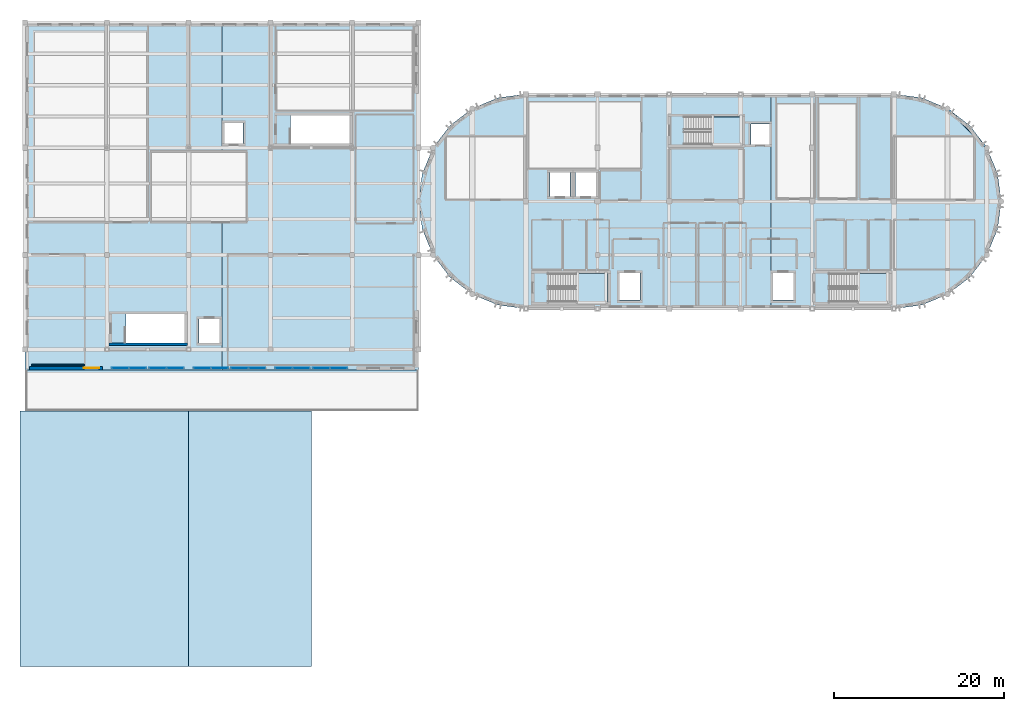
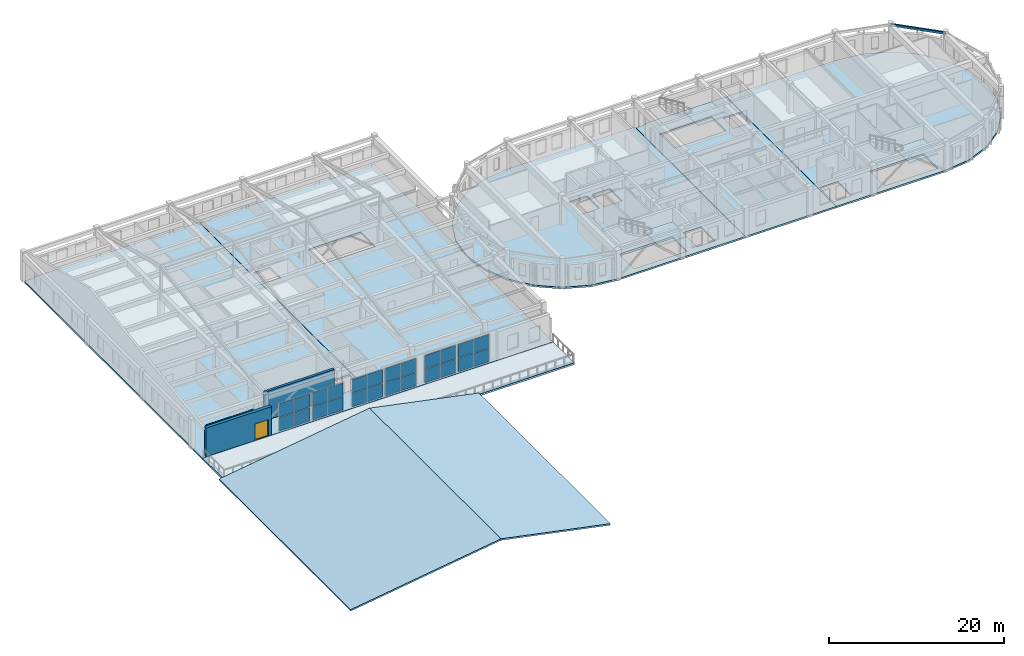
# One storey, part 13 of 29: 24 plates, 11 slabs, 3 walls, 1 beam, 1 door, 1 opening, 9 elements without a shape of their own.
"""IFC4 building model written with IfcOpenShell, lengths in metres."""

from ifc_helpers import new_model, si_unit, direction, frame, frame_2d, origin, origin_2d, place, context, subcontext, project, spatial, polyline, rectangle, hollow_rectangle, outline, extrude, material, layer, layer_set, material_profile, profile_set, type_object, element, fill, aggregate, save


model = new_model("IFC4")

# Units and contexts
model_context = context("Model", 3, precision=1e-05, world=origin(), true_north=direction((0.0, 1.0)))
body_context = subcontext(model_context, "Body", "Model", "MODEL_VIEW")
ifc_project = project(units=[si_unit("LENGTHUNIT", "METRE"), si_unit("AREAUNIT", "SQUARE_METRE"), si_unit("VOLUMEUNIT", "CUBIC_METRE"), si_unit("PLANEANGLEUNIT", "RADIAN"), si_unit("MASSUNIT", "GRAM", prefix="KILO")], contexts=[model_context])

# Site, building, storey
site_placement = place(None, origin())
site = spatial("IfcSite", under=ifc_project, at=site_placement, CompositionType="ELEMENT")
building_placement = place(site_placement, origin())
building = spatial("IfcBuilding", under=site, at=building_placement, Name="Tarnavel Promenade Courthouse", CompositionType="ELEMENT")
storey_placement = place(building_placement, frame((0.0, 0.0, 22.800048828125)))
storey = spatial("IfcBuildingStorey", under=building, at=storey_placement, Name="L06", CompositionType="ELEMENT", Elevation=22.800048828125)

# Beam
ifc_material_1 = material(Name="Steel S355J2", Category="steel")
ifc_material_profile = material_profile(ifc_material_1, hollow_rectangle(XDim=0.199951171875, YDim=0.35009765625, WallThickness=0.012451171875, InnerFilletRadius=0.012451171875, OuterFilletRadius=0.02490234375, at=origin_2d()), Name="RHS 350x200x12.5")
ifc_profile_set = profile_set([ifc_material_profile], Name="Steel S355J2")
beam_type = type_object("IfcBeamType", Name="Steel S355J2 BM-ST-RHS350 (RHS 350x200x12.5)", PredefinedType="SPANDREL", material=ifc_profile_set)
beam_placement = place(storey_placement, frame((112.911865234375, 98.10009765625, 3.7900390625), z_axis=(-0.707106781187, 0.707106781187, 0.0), x_axis=(-0.707106781187, -0.707106781187, 0.0)))
element("IfcBeam", 1, at=beam_placement, inside=storey, type_object=beam_type, Name="L06 Drum Ring Spandrel 2519", PredefinedType="SPANDREL", context=body_context, shape_type="SweptSolid", body=[
    extrude(hollow_rectangle(XDim=0.199951171875, YDim=0.35009765625, WallThickness=0.012451171875, InnerFilletRadius=0.012451171875, OuterFilletRadius=0.02490234375, at=origin_2d()), origin(), (0.0, 0.0, 1.0), 6.52197265625),
])

# Slabs
ifc_material_2 = material(Name="Concrete C35/45", Category="concrete")
ifc_layer_1 = layer(ifc_material_2, 0.239990234375)
ifc_layer_set_1 = layer_set([ifc_layer_1], Name="Concrete C35/45")
slab_type_1 = type_object("IfcSlabType", Name="Concrete C35/45 SLB-FLR-240 (240 mm)", PredefinedType="FLOOR", material=ifc_layer_set_1)
slab_1_placement = place(storey_placement, frame((0.0, 0.0, -0.239990234375)))
element("IfcSlab", 2, at=slab_1_placement, inside=storey, type_object=slab_type_1, Name="L06 Stacked Courts West Drum Floor Slab", PredefinedType="FLOOR", context=body_context, shape_type="SweptSolid", body=[
    extrude(outline(polyline([(75.580078125, 79.219970703125), (75.580078125, 104.3798828125), (58.800048828125, 104.39990234375), (55.538818359375, 103.970703125), (52.5, 102.7119140625), (49.890380859375, 100.70947265625), (47.88818359375, 98.10009765625), (46.62939453125, 95.06103515625), (46.199951171875, 91.800048828125), (46.62939453125, 88.538818359375), (47.88818359375, 85.5), (49.890380859375, 82.890380859375), (52.5, 80.88818359375), (55.538818359375, 79.62939453125), (58.800048828125, 79.199951171875), (75.580078125, 79.219970703125)]), holes=[polyline([(61.405029296875, 80.0), (68.39990234375, 80.0), (68.39990234375, 83.320068359375), (61.405029296875, 83.320068359375), (61.405029296875, 80.0)]), polyline([(69.800048828125, 80.199951171875), (72.199951171875, 80.199951171875), (72.199951171875, 83.39990234375), (69.800048828125, 83.39990234375), (69.800048828125, 80.199951171875)]), polyline([(61.60009765625, 92.39990234375), (64.0, 92.39990234375), (64.0, 95.199951171875), (61.60009765625, 95.199951171875), (61.60009765625, 92.39990234375)]), polyline([(64.60009765625, 92.39990234375), (67.0, 92.39990234375), (67.0, 95.199951171875), (64.60009765625, 95.199951171875), (64.60009765625, 92.39990234375)])]), origin(), (0.0, 0.0, 1.0), 0.239990234375),
])
slab_2_placement = place(storey_placement, frame((0.0, 0.0, -0.239990234375)))
element("IfcSlab", 3, at=slab_2_placement, inside=storey, type_object=slab_type_1, Name="L06 Stacked Courts Central Floor Slab", PredefinedType="FLOOR", context=body_context, shape_type="SweptSolid", body=[
    extrude(outline(polyline([(75.6201171875, 79.219970703125), (87.580078125, 79.219970703125), (87.580078125, 104.3798828125), (77.02001953125, 104.3798828125), (77.02001953125, 104.219970703125), (75.6201171875, 104.219970703125), (75.6201171875, 79.219970703125)]), holes=[polyline([(77.364990234375, 98.5), (84.199951171875, 98.5), (84.199951171875, 101.739990234375), (77.364990234375, 101.739990234375), (77.364990234375, 98.5)]), polyline([(85.199951171875, 98.5), (87.39990234375, 98.5), (87.39990234375, 100.89990234375), (85.199951171875, 100.89990234375), (85.199951171875, 98.5)])]), origin(), (0.0, 0.0, 1.0), 0.239990234375),
])
slab_3_placement = place(storey_placement, frame((0.0, 0.0, -0.239990234375)))
element("IfcSlab", 4, at=slab_3_placement, inside=storey, type_object=slab_type_1, Name="L06 Stacked Courts East Drum Floor Slab", PredefinedType="FLOOR", context=body_context, shape_type="SweptSolid", body=[
    extrude(outline(polyline([(87.6201171875, 104.3798828125), (87.6201171875, 79.219970703125), (102.0, 79.199951171875), (105.26123046875, 79.62939453125), (108.300048828125, 80.88818359375), (110.909423828125, 82.890380859375), (112.911865234375, 85.5), (114.170654296875, 88.538818359375), (114.60009765625, 91.800048828125), (114.170654296875, 95.06103515625), (112.911865234375, 98.10009765625), (110.909423828125, 100.70947265625), (108.300048828125, 102.7119140625), (105.26123046875, 103.970703125), (102.0, 104.39990234375), (87.6201171875, 104.3798828125)]), holes=[polyline([(94.405029296875, 80.0), (101.39990234375, 80.0), (101.39990234375, 83.320068359375), (94.405029296875, 83.320068359375), (94.405029296875, 80.0)]), polyline([(87.800048828125, 80.199951171875), (90.199951171875, 80.199951171875), (90.199951171875, 83.39990234375), (87.800048828125, 83.39990234375), (87.800048828125, 80.199951171875)])]), origin(), (0.0, 0.0, 1.0), 0.239990234375),
])
ifc_layer_2 = layer(ifc_material_2, 0.215087890625)
ifc_layer_set_2 = layer_set([ifc_layer_2], Name="Concrete C35/45")
slab_type_2 = type_object("IfcSlabType", Name="Concrete C35/45 SLB-RF-215 (215 mm)", PredefinedType="ROOF", material=ifc_layer_set_2)
slab_4_placement = place(storey_placement, frame((-0.60009765625, 37.199951171875, 0.219970703125), z_axis=(-0.146382003724, 0.0, 0.989228137987), x_axis=(0.989228137987, 0.0, 0.146382003724)))
element("IfcSlab", 5, at=slab_4_placement, inside=storey, type_object=slab_type_2, Name="L06 Law Library West Ottoman Pitched Roof", PredefinedType="ROOF", context=body_context, shape_type="SweptSolid", body=[
    extrude(outline(polyline([(0.0, 0.0), (20.015654698632012, 0.0), (20.015654698632012, 30.0), (0.0, 30.0), (0.0, 0.0)])), origin(), (0.0, 0.0, -1.0), 0.215087890625),
])
slab_5_placement = place(storey_placement, frame((19.199951171875, 37.199951171875, 3.14990234375), z_axis=(0.19938026666, 0.0, 0.979922195517), x_axis=(0.979922195517, 0.0, -0.19938026666)))
element("IfcSlab", 6, at=slab_5_placement, inside=storey, type_object=slab_type_2, Name="L06 Law Library East Ottoman Pitched Roof", PredefinedType="ROOF", context=body_context, shape_type="SweptSolid", body=[
    extrude(outline(polyline([(0.0, 0.0), (14.695193710536557, 0.0), (14.695193710536557, 30.0), (0.0, 30.0), (0.0, 0.0)])), origin(), (0.0, 0.0, -1.0), 0.215087890625),
])
ifc_layer_3 = layer(ifc_material_2, 0.27001953125)
ifc_layer_set_3 = layer_set([ifc_layer_3], Name="Concrete C35/45")
slab_type_3 = type_object("IfcSlabType", Name="Concrete C35/45 SLB-TER-270 (270 mm)", PredefinedType="FLOOR", material=ifc_layer_set_3)
slab_6_placement = place(storey_placement, frame((0.0, 0.0, -0.27001953125)))
element("IfcSlab", 7, at=slab_6_placement, inside=storey, type_object=slab_type_3, Name="L06 Trial Wing South Planted Roof Garden Terrace", PredefinedType="FLOOR", context=body_context, shape_type="SweptSolid", body=[
    extrude(outline(polyline([(0.0, 67.219970703125), (46.179931640625, 67.219970703125), (46.179931640625, 71.97998046875), (0.0, 71.97998046875), (0.0, 67.219970703125)])), origin(), (0.0, 0.0, 1.0), 0.27001953125),
])

# Stair, slab
stair_type_1 = type_object("IfcStairType", Name="Concrete C35/45 Half-Turn Stair STR-03 (1560W-300G-24R)", PredefinedType="HALF_TURN_STAIR", material=ifc_material_2)
stair_1_placement = place(storey_placement, origin())
stair_1 = element("IfcStair", 8, at=stair_1_placement, inside=storey, type_object=stair_type_1, Name="L06 West Bar Firefighting Exit Stair", PredefinedType="HALF_TURN_STAIR")
ifc_layer_4 = layer(ifc_material_2, 0.205078125)
ifc_layer_set_4 = layer_set([ifc_layer_4], Name="Concrete C35/45")
slab_type_4 = type_object("IfcSlabType", Name="Concrete C35/45 Stair Landing SLB-LND-205 (205 mm)", PredefinedType="LANDING", material=ifc_layer_set_4)
slab_7_placement = place(storey_placement, frame((0.0, 0.0, 1.89990234375)))
slab_7 = element("IfcSlab", 9, at=slab_7_placement, type_object=slab_type_4, Name="ST-01 landing 1", PredefinedType="LANDING", context=body_context, shape_type="SweptSolid", body=[
    extrude(outline(polyline([(64.659912109375, 80.0), (68.39990234375, 80.0), (68.39990234375, 83.320068359375), (64.659912109375, 83.320068359375), (64.659912109375, 80.0)])), origin(), (0.0, 0.0, 1.0), 0.199951171875),
])
aggregate(stair_1, [slab_7])

stair_2_placement = place(storey_placement, origin())
stair_2 = element("IfcStair", 10, at=stair_2_placement, inside=storey, type_object=stair_type_1, Name="L06 East Bar Firefighting Exit Stair", PredefinedType="HALF_TURN_STAIR")
slab_8_placement = place(storey_placement, frame((0.0, 0.0, 1.89990234375)))
slab_8 = element("IfcSlab", 11, at=slab_8_placement, type_object=slab_type_4, Name="ST-02 landing 1", PredefinedType="LANDING", context=body_context, shape_type="SweptSolid", body=[
    extrude(outline(polyline([(97.659912109375, 80.0), (101.39990234375, 80.0), (101.39990234375, 83.320068359375), (97.659912109375, 83.320068359375), (97.659912109375, 80.0)])), origin(), (0.0, 0.0, 1.0), 0.199951171875),
])
aggregate(stair_2, [slab_8])

stair_type_2 = type_object("IfcStairType", Name="Concrete C35/45 Half-Turn Stair STR-06 (1520W-290G-24R)", PredefinedType="HALF_TURN_STAIR", material=ifc_material_2)
stair_3_placement = place(storey_placement, origin())
stair_3 = element("IfcStair", 12, at=stair_3_placement, inside=storey, type_object=stair_type_2, Name="L06 Central Judicial Chambers Exit Stair", PredefinedType="HALF_TURN_STAIR")
slab_9_placement = place(storey_placement, frame((0.0, 0.0, 1.89990234375)))
slab_9 = element("IfcSlab", 13, at=slab_9_placement, type_object=slab_type_4, Name="ST-03 landing 1", PredefinedType="LANDING", context=body_context, shape_type="SweptSolid", body=[
    extrude(outline(polyline([(80.510009765625, 98.5), (84.199951171875, 98.5), (84.199951171875, 101.739990234375), (80.510009765625, 101.739990234375), (80.510009765625, 98.5)])), origin(), (0.0, 0.0, 1.0), 0.199951171875),
])
aggregate(stair_3, [slab_9])

# Slabs
ifc_material_3 = material(Name="Concrete C40/50", Category="concrete")
ifc_layer_5 = layer(ifc_material_3, 0.25)
ifc_layer_set_5 = layer_set([ifc_layer_5], Name="Concrete C40/50")
slab_type_5 = type_object("IfcSlabType", Name="Concrete C40/50 SLB-PT-250 (250 mm)", PredefinedType="FLOOR", material=ifc_layer_set_5)
slab_10_placement = place(storey_placement, frame((0.0, 0.0, -0.25)))
element("IfcSlab", 14, at=slab_10_placement, inside=storey, type_object=slab_type_5, Name="L06 Trial Courtrooms W PT Floor Slab", PredefinedType="FLOOR", context=body_context, shape_type="SweptSolid", body=[
    extrude(outline(polyline([(0.0, 72.02001953125), (23.080078125, 72.02001953125), (23.080078125, 112.800048828125), (1.39990234375, 112.800048828125), (1.39990234375, 112.639892578125), (0.0, 112.639892578125), (0.0, 72.02001953125)]), holes=[polyline([(11.824951171875, 75.199951171875), (18.699951171875, 75.199951171875), (18.699951171875, 78.56005859375), (11.824951171875, 78.56005859375), (11.824951171875, 75.199951171875)]), polyline([(20.39990234375, 75.199951171875), (22.800048828125, 75.199951171875), (22.800048828125, 78.0), (20.39990234375, 78.0), (20.39990234375, 75.199951171875)])]), origin(), (0.0, 0.0, 1.0), 0.25),
])
slab_11_placement = place(storey_placement, frame((0.0, 0.0, -0.25)))
element("IfcSlab", 15, at=slab_11_placement, inside=storey, type_object=slab_type_5, Name="L06 Trial Courtrooms E PT Floor Slab", PredefinedType="FLOOR", context=body_context, shape_type="SweptSolid", body=[
    extrude(outline(polyline([(23.1201171875, 72.02001953125), (46.179931640625, 72.02001953125), (46.179931640625, 112.800048828125), (24.52001953125, 112.800048828125), (24.52001953125, 112.639892578125), (23.1201171875, 112.639892578125), (23.1201171875, 72.02001953125)]), holes=[polyline([(31.18505859375, 98.60009765625), (38.10009765625, 98.60009765625), (38.10009765625, 101.8798828125), (31.18505859375, 101.8798828125), (31.18505859375, 98.60009765625)]), polyline([(23.39990234375, 98.60009765625), (25.60009765625, 98.60009765625), (25.60009765625, 101.0), (23.39990234375, 101.0), (23.39990234375, 98.60009765625)])]), origin(), (0.0, 0.0, 1.0), 0.25),
])

# Curtain wall, plates
ifc_material_4 = material(Name="Thermally Broken Anodised Aluminium Curtain Wall System", Category="aluminium")
ifc_layer_6 = layer(ifc_material_4, 0.195068359375)
ifc_layer_set_6 = layer_set([ifc_layer_6], Name="Thermally Broken Anodised Aluminium Curtain Wall System")
curtain_wall_type = type_object("IfcCurtainWallType", Name="Thermally Broken Aluminium Triple-Glazed Curtain Wall CW-TER", PredefinedType="NOTDEFINED", material=ifc_layer_set_6)
curtain_wall_1_placement = place(storey_placement, origin())
curtain_wall_1 = element("IfcCurtainWall", 16, at=curtain_wall_1_placement, inside=storey, type_object=curtain_wall_type, Name="L06 Trial Wing Roof-Garden Glazed Bay 185", PredefinedType="NOTDEFINED")
ifc_material_5 = material(Name="Triple Low-E Argon Insulated Glazing", Category="glass")
ifc_layer_7 = layer(ifc_material_5, 0.048095703125)
ifc_layer_set_7 = layer_set([ifc_layer_7], Name="Triple Low-E Argon Insulated Glazing")
plate_type = type_object("IfcPlateType", Name="Triple Low-E Argon Insulated Glazing Unit CWP-48 (48 mm)", PredefinedType="CURTAIN_PANEL", material=ifc_layer_set_7)
plate_1_placement = place(storey_placement, frame((11.169921875, 72.219970703125, 0.06982421875), z_axis=(0.0, 0.0, 1.0), x_axis=(1.0, 0.0, 0.0)))
plate_1 = element("IfcPlate", 17, at=plate_1_placement, type_object=plate_type, Name="CW-06 panel 1.1", PredefinedType="CURTAIN_PANEL", context=body_context, shape_type="SweptSolid", body=[
    extrude(rectangle(XDim=1.97998046875, YDim=0.048095703125, at=origin_2d()), origin(), (0.0, 0.0, 1.0), 1.864990234375),
])
plate_2_placement = place(storey_placement, frame((11.169921875, 72.219970703125, 2.0048828125), z_axis=(0.0, 0.0, 1.0), x_axis=(1.0, 0.0, 0.0)))
plate_2 = element("IfcPlate", 18, at=plate_2_placement, type_object=plate_type, Name="CW-06 panel 1.2", PredefinedType="CURTAIN_PANEL", context=body_context, shape_type="SweptSolid", body=[
    extrude(rectangle(XDim=1.97998046875, YDim=0.048095703125, at=origin_2d()), origin(), (0.0, 0.0, 1.0), 1.864990234375),
])
plate_3_placement = place(storey_placement, frame((13.22998046875, 72.219970703125, 0.06982421875), z_axis=(0.0, 0.0, 1.0), x_axis=(1.0, 0.0, 0.0)))
plate_3 = element("IfcPlate", 19, at=plate_3_placement, type_object=plate_type, Name="CW-06 panel 2.1", PredefinedType="CURTAIN_PANEL", context=body_context, shape_type="SweptSolid", body=[
    extrude(rectangle(XDim=1.97998046875, YDim=0.048095703125, at=origin_2d()), origin(), (0.0, 0.0, 1.0), 1.864990234375),
])
plate_4_placement = place(storey_placement, frame((13.22998046875, 72.219970703125, 2.0048828125), z_axis=(0.0, 0.0, 1.0), x_axis=(1.0, 0.0, 0.0)))
plate_4 = element("IfcPlate", 20, at=plate_4_placement, type_object=plate_type, Name="CW-06 panel 2.2", PredefinedType="CURTAIN_PANEL", context=body_context, shape_type="SweptSolid", body=[
    extrude(rectangle(XDim=1.97998046875, YDim=0.048095703125, at=origin_2d()), origin(), (0.0, 0.0, 1.0), 1.864990234375),
])
aggregate(curtain_wall_1, [plate_1, plate_2, plate_3, plate_4])

curtain_wall_2_placement = place(storey_placement, origin())
curtain_wall_2 = element("IfcCurtainWall", 21, at=curtain_wall_2_placement, inside=storey, type_object=curtain_wall_type, Name="L06 Trial Wing Roof-Garden Glazed Bay 186", PredefinedType="NOTDEFINED")
plate_5_placement = place(storey_placement, frame((15.570068359375, 72.219970703125, 0.06982421875), z_axis=(0.0, 0.0, 1.0), x_axis=(1.0, 0.0, 0.0)))
plate_5 = element("IfcPlate", 22, at=plate_5_placement, type_object=plate_type, Name="CW-06 panel 1.1", PredefinedType="CURTAIN_PANEL", context=body_context, shape_type="SweptSolid", body=[
    extrude(rectangle(XDim=1.97998046875, YDim=0.048095703125, at=origin_2d()), origin(), (0.0, 0.0, 1.0), 1.864990234375),
])
plate_6_placement = place(storey_placement, frame((15.570068359375, 72.219970703125, 2.0048828125), z_axis=(0.0, 0.0, 1.0), x_axis=(1.0, 0.0, 0.0)))
plate_6 = element("IfcPlate", 23, at=plate_6_placement, type_object=plate_type, Name="CW-06 panel 1.2", PredefinedType="CURTAIN_PANEL", context=body_context, shape_type="SweptSolid", body=[
    extrude(rectangle(XDim=1.97998046875, YDim=0.048095703125, at=origin_2d()), origin(), (0.0, 0.0, 1.0), 1.864990234375),
])
plate_7_placement = place(storey_placement, frame((17.6298828125, 72.219970703125, 0.06982421875), z_axis=(0.0, 0.0, 1.0), x_axis=(1.0, 0.0, 0.0)))
plate_7 = element("IfcPlate", 24, at=plate_7_placement, type_object=plate_type, Name="CW-06 panel 2.1", PredefinedType="CURTAIN_PANEL", context=body_context, shape_type="SweptSolid", body=[
    extrude(rectangle(XDim=1.97998046875, YDim=0.048095703125, at=origin_2d()), origin(), (0.0, 0.0, 1.0), 1.864990234375),
])
plate_8_placement = place(storey_placement, frame((17.6298828125, 72.219970703125, 2.0048828125), z_axis=(0.0, 0.0, 1.0), x_axis=(1.0, 0.0, 0.0)))
plate_8 = element("IfcPlate", 25, at=plate_8_placement, type_object=plate_type, Name="CW-06 panel 2.2", PredefinedType="CURTAIN_PANEL", context=body_context, shape_type="SweptSolid", body=[
    extrude(rectangle(XDim=1.97998046875, YDim=0.048095703125, at=origin_2d()), origin(), (0.0, 0.0, 1.0), 1.864990234375),
])
aggregate(curtain_wall_2, [plate_5, plate_6, plate_7, plate_8])

curtain_wall_3_placement = place(storey_placement, origin())
curtain_wall_3 = element("IfcCurtainWall", 26, at=curtain_wall_3_placement, inside=storey, type_object=curtain_wall_type, Name="L06 Trial Wing Roof-Garden Glazed Bay 187", PredefinedType="NOTDEFINED")
plate_9_placement = place(storey_placement, frame((20.77001953125, 72.219970703125, 0.06982421875), z_axis=(0.0, 0.0, 1.0), x_axis=(1.0, 0.0, 0.0)))
plate_9 = element("IfcPlate", 27, at=plate_9_placement, type_object=plate_type, Name="CW-06 panel 1.1", PredefinedType="CURTAIN_PANEL", context=body_context, shape_type="SweptSolid", body=[
    extrude(rectangle(XDim=1.97998046875, YDim=0.048095703125, at=origin_2d()), origin(), (0.0, 0.0, 1.0), 1.864990234375),
])
plate_10_placement = place(storey_placement, frame((20.77001953125, 72.219970703125, 2.0048828125), z_axis=(0.0, 0.0, 1.0), x_axis=(1.0, 0.0, 0.0)))
plate_10 = element("IfcPlate", 28, at=plate_10_placement, type_object=plate_type, Name="CW-06 panel 1.2", PredefinedType="CURTAIN_PANEL", context=body_context, shape_type="SweptSolid", body=[
    extrude(rectangle(XDim=1.97998046875, YDim=0.048095703125, at=origin_2d()), origin(), (0.0, 0.0, 1.0), 1.864990234375),
])
plate_11_placement = place(storey_placement, frame((22.830078125, 72.219970703125, 0.06982421875), z_axis=(0.0, 0.0, 1.0), x_axis=(1.0, 0.0, 0.0)))
plate_11 = element("IfcPlate", 29, at=plate_11_placement, type_object=plate_type, Name="CW-06 panel 2.1", PredefinedType="CURTAIN_PANEL", context=body_context, shape_type="SweptSolid", body=[
    extrude(rectangle(XDim=1.97998046875, YDim=0.048095703125, at=origin_2d()), origin(), (0.0, 0.0, 1.0), 1.864990234375),
])
plate_12_placement = place(storey_placement, frame((22.830078125, 72.219970703125, 2.0048828125), z_axis=(0.0, 0.0, 1.0), x_axis=(1.0, 0.0, 0.0)))
plate_12 = element("IfcPlate", 30, at=plate_12_placement, type_object=plate_type, Name="CW-06 panel 2.2", PredefinedType="CURTAIN_PANEL", context=body_context, shape_type="SweptSolid", body=[
    extrude(rectangle(XDim=1.97998046875, YDim=0.048095703125, at=origin_2d()), origin(), (0.0, 0.0, 1.0), 1.864990234375),
])
aggregate(curtain_wall_3, [plate_9, plate_10, plate_11, plate_12])

curtain_wall_4_placement = place(storey_placement, origin())
curtain_wall_4 = element("IfcCurtainWall", 31, at=curtain_wall_4_placement, inside=storey, type_object=curtain_wall_type, Name="L06 Trial Wing Roof-Garden Glazed Bay 188", PredefinedType="NOTDEFINED")
plate_13_placement = place(storey_placement, frame((25.169921875, 72.219970703125, 0.06982421875), z_axis=(0.0, 0.0, 1.0), x_axis=(1.0, 0.0, 0.0)))
plate_13 = element("IfcPlate", 32, at=plate_13_placement, type_object=plate_type, Name="CW-06 panel 1.1", PredefinedType="CURTAIN_PANEL", context=body_context, shape_type="SweptSolid", body=[
    extrude(rectangle(XDim=1.97998046875, YDim=0.048095703125, at=origin_2d()), origin(), (0.0, 0.0, 1.0), 1.864990234375),
])
plate_14_placement = place(storey_placement, frame((25.169921875, 72.219970703125, 2.0048828125), z_axis=(0.0, 0.0, 1.0), x_axis=(1.0, 0.0, 0.0)))
plate_14 = element("IfcPlate", 33, at=plate_14_placement, type_object=plate_type, Name="CW-06 panel 1.2", PredefinedType="CURTAIN_PANEL", context=body_context, shape_type="SweptSolid", body=[
    extrude(rectangle(XDim=1.97998046875, YDim=0.048095703125, at=origin_2d()), origin(), (0.0, 0.0, 1.0), 1.864990234375),
])
plate_15_placement = place(storey_placement, frame((27.22998046875, 72.219970703125, 0.06982421875), z_axis=(0.0, 0.0, 1.0), x_axis=(1.0, 0.0, 0.0)))
plate_15 = element("IfcPlate", 34, at=plate_15_placement, type_object=plate_type, Name="CW-06 panel 2.1", PredefinedType="CURTAIN_PANEL", context=body_context, shape_type="SweptSolid", body=[
    extrude(rectangle(XDim=1.97998046875, YDim=0.048095703125, at=origin_2d()), origin(), (0.0, 0.0, 1.0), 1.864990234375),
])
plate_16_placement = place(storey_placement, frame((27.22998046875, 72.219970703125, 2.0048828125), z_axis=(0.0, 0.0, 1.0), x_axis=(1.0, 0.0, 0.0)))
plate_16 = element("IfcPlate", 35, at=plate_16_placement, type_object=plate_type, Name="CW-06 panel 2.2", PredefinedType="CURTAIN_PANEL", context=body_context, shape_type="SweptSolid", body=[
    extrude(rectangle(XDim=1.97998046875, YDim=0.048095703125, at=origin_2d()), origin(), (0.0, 0.0, 1.0), 1.864990234375),
])
aggregate(curtain_wall_4, [plate_13, plate_14, plate_15, plate_16])

curtain_wall_5_placement = place(storey_placement, origin())
curtain_wall_5 = element("IfcCurtainWall", 36, at=curtain_wall_5_placement, inside=storey, type_object=curtain_wall_type, Name="L06 Trial Wing Roof-Garden Glazed Bay 189", PredefinedType="NOTDEFINED")
plate_17_placement = place(storey_placement, frame((30.3701171875, 72.219970703125, 0.06982421875), z_axis=(0.0, 0.0, 1.0), x_axis=(1.0, 0.0, 0.0)))
plate_17 = element("IfcPlate", 37, at=plate_17_placement, type_object=plate_type, Name="CW-06 panel 1.1", PredefinedType="CURTAIN_PANEL", context=body_context, shape_type="SweptSolid", body=[
    extrude(rectangle(XDim=1.97998046875, YDim=0.048095703125, at=origin_2d()), origin(), (0.0, 0.0, 1.0), 1.864990234375),
])
plate_18_placement = place(storey_placement, frame((30.3701171875, 72.219970703125, 2.0048828125), z_axis=(0.0, 0.0, 1.0), x_axis=(1.0, 0.0, 0.0)))
plate_18 = element("IfcPlate", 38, at=plate_18_placement, type_object=plate_type, Name="CW-06 panel 1.2", PredefinedType="CURTAIN_PANEL", context=body_context, shape_type="SweptSolid", body=[
    extrude(rectangle(XDim=1.97998046875, YDim=0.048095703125, at=origin_2d()), origin(), (0.0, 0.0, 1.0), 1.864990234375),
])
plate_19_placement = place(storey_placement, frame((32.429931640625, 72.219970703125, 0.06982421875), z_axis=(0.0, 0.0, 1.0), x_axis=(1.0, 0.0, 0.0)))
plate_19 = element("IfcPlate", 39, at=plate_19_placement, type_object=plate_type, Name="CW-06 panel 2.1", PredefinedType="CURTAIN_PANEL", context=body_context, shape_type="SweptSolid", body=[
    extrude(rectangle(XDim=1.97998046875, YDim=0.048095703125, at=origin_2d()), origin(), (0.0, 0.0, 1.0), 1.864990234375),
])
plate_20_placement = place(storey_placement, frame((32.429931640625, 72.219970703125, 2.0048828125), z_axis=(0.0, 0.0, 1.0), x_axis=(1.0, 0.0, 0.0)))
plate_20 = element("IfcPlate", 40, at=plate_20_placement, type_object=plate_type, Name="CW-06 panel 2.2", PredefinedType="CURTAIN_PANEL", context=body_context, shape_type="SweptSolid", body=[
    extrude(rectangle(XDim=1.97998046875, YDim=0.048095703125, at=origin_2d()), origin(), (0.0, 0.0, 1.0), 1.864990234375),
])
aggregate(curtain_wall_5, [plate_17, plate_18, plate_19, plate_20])

curtain_wall_6_placement = place(storey_placement, origin())
curtain_wall_6 = element("IfcCurtainWall", 41, at=curtain_wall_6_placement, inside=storey, type_object=curtain_wall_type, Name="L06 Trial Wing Roof-Garden Glazed Bay 190", PredefinedType="NOTDEFINED")
plate_21_placement = place(storey_placement, frame((34.77001953125, 72.219970703125, 0.06982421875), z_axis=(0.0, 0.0, 1.0), x_axis=(1.0, 0.0, 0.0)))
plate_21 = element("IfcPlate", 42, at=plate_21_placement, type_object=plate_type, Name="CW-06 panel 1.1", PredefinedType="CURTAIN_PANEL", context=body_context, shape_type="SweptSolid", body=[
    extrude(rectangle(XDim=1.97998046875, YDim=0.048095703125, at=origin_2d()), origin(), (0.0, 0.0, 1.0), 1.864990234375),
])
plate_22_placement = place(storey_placement, frame((34.77001953125, 72.219970703125, 2.0048828125), z_axis=(0.0, 0.0, 1.0), x_axis=(1.0, 0.0, 0.0)))
plate_22 = element("IfcPlate", 43, at=plate_22_placement, type_object=plate_type, Name="CW-06 panel 1.2", PredefinedType="CURTAIN_PANEL", context=body_context, shape_type="SweptSolid", body=[
    extrude(rectangle(XDim=1.97998046875, YDim=0.048095703125, at=origin_2d()), origin(), (0.0, 0.0, 1.0), 1.864990234375),
])
plate_23_placement = place(storey_placement, frame((36.830078125, 72.219970703125, 0.06982421875), z_axis=(0.0, 0.0, 1.0), x_axis=(1.0, 0.0, 0.0)))
plate_23 = element("IfcPlate", 44, at=plate_23_placement, type_object=plate_type, Name="CW-06 panel 2.1", PredefinedType="CURTAIN_PANEL", context=body_context, shape_type="SweptSolid", body=[
    extrude(rectangle(XDim=1.97998046875, YDim=0.048095703125, at=origin_2d()), origin(), (0.0, 0.0, 1.0), 1.864990234375),
])
plate_24_placement = place(storey_placement, frame((36.830078125, 72.219970703125, 2.0048828125), z_axis=(0.0, 0.0, 1.0), x_axis=(1.0, 0.0, 0.0)))
plate_24 = element("IfcPlate", 45, at=plate_24_placement, type_object=plate_type, Name="CW-06 panel 2.2", PredefinedType="CURTAIN_PANEL", context=body_context, shape_type="SweptSolid", body=[
    extrude(rectangle(XDim=1.97998046875, YDim=0.048095703125, at=origin_2d()), origin(), (0.0, 0.0, 1.0), 1.864990234375),
])
aggregate(curtain_wall_6, [plate_21, plate_22, plate_23, plate_24])

# Wall
ifc_layer_8 = layer(ifc_material_3, 0.320068359375)
ifc_layer_set_8 = layer_set([ifc_layer_8], Name="Concrete C40/50")
wall_type_1 = type_object("IfcWallType", Name="Concrete C40/50 WL-SHR-320 (320 mm)", PredefinedType="SHEAR", material=ifc_layer_set_8)
wall_1_placement = place(storey_placement, frame((19.0400390625, 75.02001953125, 0.0), z_axis=(0.0, 0.0, 1.0), x_axis=(-1.0, 0.0, 0.0)))
element("IfcWall", 46, at=wall_1_placement, inside=storey, type_object=wall_type_1, Name="L06 ST-04 Shear Core South Wall", PredefinedType="SHEAR", context=body_context, shape_type="SweptSolid", body=[
    extrude(rectangle(XDim=9.179931640625, YDim=0.320068359375, at=frame_2d((4.58984375, 0.0))), origin(), (0.0, 0.0, 1.0), 3.969970703125),
])

# Wall, opening, door
ifc_material_6 = material(Name="Cream Brick Insulated Cavity Facade Assembly", Category="masonry")
ifc_layer_9 = layer(ifc_material_6, 0.409912109375)
ifc_layer_set_9 = layer_set([ifc_layer_9], Name="Cream Brick Insulated Cavity Facade Assembly")
wall_type_2 = type_object("IfcWallType", Name="Cream Brick Insulated Cavity Facade Assembly WL-EXT-410 (410 mm)", PredefinedType="STANDARD", material=ifc_layer_set_9)
wall_2_placement = place(storey_placement, frame((0.5, 72.239990234375, 0.0), z_axis=(0.0, 0.0, 1.0), x_axis=(1.0, 0.0, 0.0)))
wall_2 = element("IfcWall", 47, at=wall_2_placement, inside=storey, type_object=wall_type_2, Name="L06 L06 Terrace South Wall West 0335", PredefinedType="STANDARD", context=body_context, shape_type="SweptSolid", body=[
    extrude(rectangle(XDim=8.60009765625, YDim=0.409912109375, at=frame_2d((4.300048828125, 0.0))), origin(), (0.0, 0.0, 1.0), 3.969970703125),
])
opening_placement = place(wall_2_placement, frame((6.39990234375, 0.0, 0.0)))
opening = element("IfcOpeningElement", 48, at=opening_placement, cuts=wall_2, Name="Opening ED-05", PredefinedType="OPENING", context=body_context, shape_type="SweptSolid", body=[
    extrude(rectangle(XDim=1.800048828125, YDim=2.300048828125, at=frame_2d((0.89990234375, 1.14990234375))), frame((0.0, 0.21484375, 0.0), z_axis=(0.0, -1.0, 0.0), x_axis=(1.0, 0.0, 0.0)), (0.0, 0.0, 1.0), 0.429931640625),
])
ifc_material_7 = material(Name="Triple-Glazed Bronze Terrace Double Door")
door_type = type_object("IfcDoorType", Name="Triple-Glazed Bronze Terrace Double Door (ED-TER-1800x2300)", OperationType="NOTDEFINED", PredefinedType="DOOR", material=ifc_material_7)
door_placement = place(opening_placement, origin())
door = element("IfcDoor", 49, at=door_placement, inside=storey, type_object=door_type, Name="L06 Trial Wing Roof-Garden Terrace Double Door", OperationType="DOUBLE_DOOR_SINGLE_SWING", OverallHeight=2.300048828125, OverallWidth=1.800048828125, PredefinedType="DOOR", context=body_context, shape_type="SweptSolid", body=[
    extrude(rectangle(XDim=1.800048828125, YDim=2.300048828125, at=frame_2d((0.89990234375, 1.14990234375))), frame((0.0, 0.02490234375, 0.0), z_axis=(0.0, -1.0, 0.0), x_axis=(1.0, 0.0, 0.0)), (0.0, 0.0, 1.0), 0.050048828125),
])
fill(opening, door)

# Wall
ifc_material_8 = material(Name="Metal-Stud Acoustic Gypsum Partition", Category="gypsum")
ifc_layer_10 = layer(ifc_material_8, 0.135009765625)
ifc_layer_set_10 = layer_set([ifc_layer_10], Name="Metal-Stud Acoustic Gypsum Partition")
wall_type_3 = type_object("IfcWallType", Name="Metal-Stud Acoustic Gypsum Partition WL-OFF-135 (135 mm)", PredefinedType="PARTITIONING", material=ifc_layer_set_10)
wall_3_placement = place(storey_placement, frame((7.0, 72.60009765625, 0.0), z_axis=(0.0, 0.0, 1.0), x_axis=(-1.0, 0.0, 0.0)))
element("IfcWall", 50, at=wall_3_placement, inside=storey, type_object=wall_type_3, Name="L06 Roof Terrace Judicial Lounge Partition 0795", PredefinedType="PARTITIONING", context=body_context, shape_type="SweptSolid", body=[
    extrude(rectangle(XDim=6.199951171875, YDim=0.135009765625, at=frame_2d((3.10009765625, 0.0))), origin(), (0.0, 0.0, 1.0), 3.954833984375),
])

save(model, "model.ifc")
